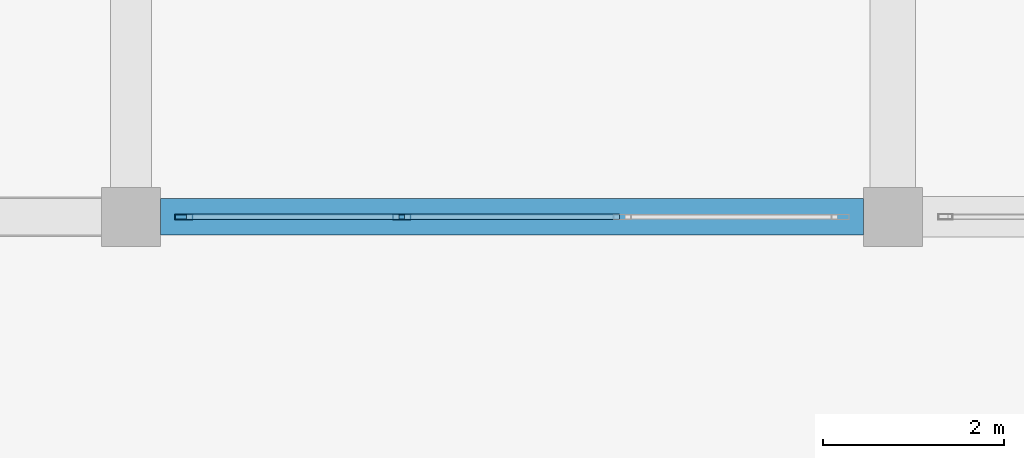
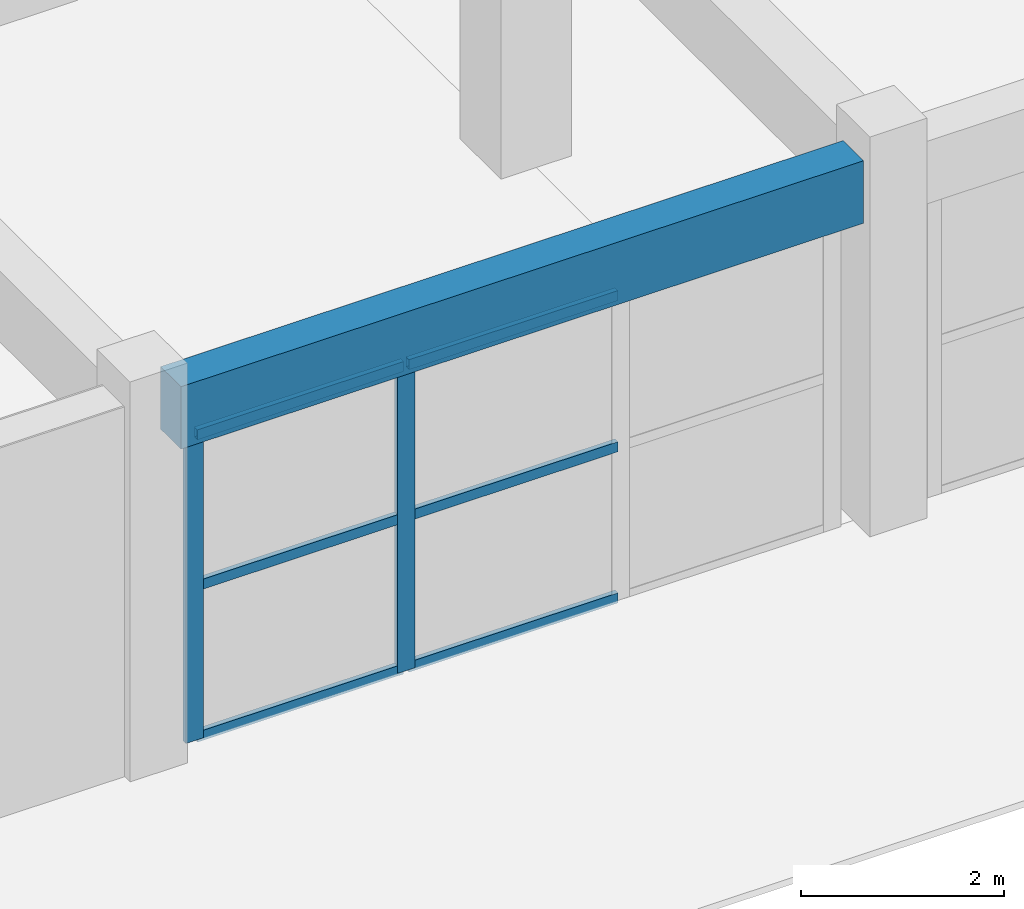
# One storey, part 5 of 72: 8 members, 1 beam, 1 element without a shape of its own.
"""IFC4 building model written with IfcOpenShell, lengths in metres."""

from ifc_helpers import new_model, si_unit, direction, frame, origin, origin_2d, place, context, subcontext, project, spatial, rectangle, hollow_rectangle, extrude, material, material_profile, profile_set, type_object, element, aggregate, save


model = new_model("IFC4")

# Units and contexts
model_context = context("Model", 3, precision=1e-05, world=origin(), true_north=direction((0.0, 1.0)))
body_context = subcontext(model_context, "Body", "Model", "MODEL_VIEW")
ifc_project = project(units=[si_unit("LENGTHUNIT", "METRE"), si_unit("AREAUNIT", "SQUARE_METRE"), si_unit("VOLUMEUNIT", "CUBIC_METRE"), si_unit("PLANEANGLEUNIT", "RADIAN"), si_unit("MASSUNIT", "GRAM", prefix="KILO")], contexts=[model_context])

# Site, building, storey
site_placement = place(None, origin())
site = spatial("IfcSite", under=ifc_project, at=site_placement, CompositionType="ELEMENT")
building_placement = place(site_placement, origin())
building = spatial("IfcBuilding", under=site, at=building_placement, Name="Korsvaeld Concert Hall", CompositionType="ELEMENT")
storey_placement = place(building_placement, origin())
storey = spatial("IfcBuildingStorey", under=building, at=storey_placement, Name="L00", CompositionType="ELEMENT", Elevation=0.0)

# Beam
ifc_material_1 = material(Name="Concrete C35/45", Category="concrete")
ifc_material_profile_1 = material_profile(ifc_material_1, rectangle(XDim=0.39990234375, YDim=0.75, at=origin_2d()), Name="RC 400x750")
ifc_profile_set_1 = profile_set([ifc_material_profile_1], Name="Concrete C35/45")
beam_type = type_object("IfcBeamType", Name="BM-RC-400x750", PredefinedType="T_BEAM", material=ifc_profile_set_1)
beam_placement = place(storey_placement, frame((59.125, 28.800048828125, 4.06494140625), z_axis=(1.0, 0.0, 0.0), x_axis=(0.0, 1.0, 0.0)))
element("IfcBeam", 1, at=beam_placement, inside=storey, type_object=beam_type, Name="Primary girder 9-10/E L00", PredefinedType="T_BEAM", context=body_context, shape_type="SweptSolid", body=[
    extrude(rectangle(XDim=0.39990234375, YDim=0.75, at=origin_2d()), origin(), (0.0, 0.0, 1.0), 7.75),
])

# Curtain wall, members
ifc_material_2 = material(Name="Anodised bronze and ceramic-fritted safety glass", Category="glass")
curtain_wall_type = type_object("IfcCurtainWallType", Name="CW-TYPE-14", PredefinedType="USERDEFINED", material=ifc_material_2)
curtain_wall_placement = place(storey_placement, origin())
curtain_wall = element("IfcCurtainWall", 2, at=curtain_wall_placement, inside=storey, type_object=curtain_wall_type, Name="Wintergarden foyer curtain wall L00-06", ObjectType="CURTAIN WALL", PredefinedType="USERDEFINED")
ifc_material_3 = material(Name="Anodised architectural bronze aluminium", Category="aluminium")
ifc_material_profile_2 = material_profile(ifc_material_3, hollow_rectangle(XDim=0.06005859375, YDim=0.199951171875, WallThickness=0.0048828125, at=origin_2d()), Name="CWM 200x60x5")
ifc_profile_set_2 = profile_set([ifc_material_profile_2], Name="Anodised architectural bronze aluminium")
member_type_1 = type_object("IfcMemberType", Name="CWM-ALUM-200x60", PredefinedType="MULLION", material=ifc_profile_set_2)
member_1_placement = place(storey_placement, frame((61.783447265625, 28.800048828125, 0.0), z_axis=(0.0, 0.0, 1.0), x_axis=(0.0, -1.0, 0.0)))
member_1 = element("IfcMember", 3, at=member_1_placement, type_object=member_type_1, Name="CW-14 mullion 3", PredefinedType="MULLION", context=body_context, shape_type="SweptSolid", body=[
    extrude(hollow_rectangle(XDim=0.06005859375, YDim=0.199951171875, WallThickness=0.0048828125, at=origin_2d()), origin(), (0.0, 0.0, 1.0), 3.68994140625),
])
member_2_placement = place(storey_placement, frame((59.3798828125, 28.800048828125, 0.0), z_axis=(0.0, 0.0, 1.0), x_axis=(0.0, -1.0, 0.0)))
member_2 = element("IfcMember", 4, at=member_2_placement, type_object=member_type_1, Name="CW-14 mullion 4", PredefinedType="MULLION", context=body_context, shape_type="SweptSolid", body=[
    extrude(hollow_rectangle(XDim=0.06005859375, YDim=0.199951171875, WallThickness=0.0048828125, at=origin_2d()), origin(), (0.0, 0.0, 1.0), 3.68994140625),
])
ifc_material_profile_3 = material_profile(ifc_material_3, hollow_rectangle(XDim=0.06005859375, YDim=0.1201171875, WallThickness=0.00390625, at=origin_2d()), Name="CWT 120x60x4")
ifc_profile_set_3 = profile_set([ifc_material_profile_3], Name="Anodised architectural bronze aluminium")
member_type_2 = type_object("IfcMemberType", Name="CWT-ALUM-120x60", PredefinedType="USERDEFINED", material=ifc_profile_set_3)
member_3_placement = place(storey_placement, frame((64.186767578125, 28.800048828125, 0.030029296875), z_axis=(-1.0, 0.0, 0.0), x_axis=(0.0, -1.0, 0.0)))
member_3 = element("IfcMember", 5, at=member_3_placement, type_object=member_type_2, Name="CW-14 transom 2.1", ObjectType="TRANSOM", PredefinedType="USERDEFINED", context=body_context, shape_type="SweptSolid", body=[
    extrude(hollow_rectangle(XDim=0.06005859375, YDim=0.1201171875, WallThickness=0.00390625, at=origin_2d()), origin(), (0.0, 0.0, 1.0), 2.37353515625),
])
member_4_placement = place(storey_placement, frame((64.186767578125, 28.800048828125, 1.844970703125), z_axis=(-1.0, 0.0, 0.0), x_axis=(0.0, -1.0, 0.0)))
member_4 = element("IfcMember", 6, at=member_4_placement, type_object=member_type_2, Name="CW-14 transom 2.2", ObjectType="TRANSOM", PredefinedType="USERDEFINED", context=body_context, shape_type="SweptSolid", body=[
    extrude(hollow_rectangle(XDim=0.06005859375, YDim=0.1201171875, WallThickness=0.00390625, at=origin_2d()), origin(), (0.0, 0.0, 1.0), 2.37353515625),
])
member_5_placement = place(storey_placement, frame((64.186767578125, 28.800048828125, 3.659912109375), z_axis=(-1.0, 0.0, 0.0), x_axis=(0.0, -1.0, 0.0)))
member_5 = element("IfcMember", 7, at=member_5_placement, type_object=member_type_2, Name="CW-14 transom 2.3", ObjectType="TRANSOM", PredefinedType="USERDEFINED", context=body_context, shape_type="SweptSolid", body=[
    extrude(hollow_rectangle(XDim=0.06005859375, YDim=0.1201171875, WallThickness=0.00390625, at=origin_2d()), origin(), (0.0, 0.0, 1.0), 2.37353515625),
])
member_6_placement = place(storey_placement, frame((61.75341796875, 28.800048828125, 0.030029296875), z_axis=(-1.0, 0.0, 0.0), x_axis=(0.0, -1.0, 0.0)))
member_6 = element("IfcMember", 8, at=member_6_placement, type_object=member_type_2, Name="CW-14 transom 3.1", ObjectType="TRANSOM", PredefinedType="USERDEFINED", context=body_context, shape_type="SweptSolid", body=[
    extrude(hollow_rectangle(XDim=0.06005859375, YDim=0.1201171875, WallThickness=0.00390625, at=origin_2d()), origin(), (0.0, 0.0, 1.0), 2.343505859375),
])
member_7_placement = place(storey_placement, frame((61.75341796875, 28.800048828125, 1.844970703125), z_axis=(-1.0, 0.0, 0.0), x_axis=(0.0, -1.0, 0.0)))
member_7 = element("IfcMember", 9, at=member_7_placement, type_object=member_type_2, Name="CW-14 transom 3.2", ObjectType="TRANSOM", PredefinedType="USERDEFINED", context=body_context, shape_type="SweptSolid", body=[
    extrude(hollow_rectangle(XDim=0.06005859375, YDim=0.1201171875, WallThickness=0.00390625, at=origin_2d()), origin(), (0.0, 0.0, 1.0), 2.343505859375),
])
member_8_placement = place(storey_placement, frame((61.75341796875, 28.800048828125, 3.659912109375), z_axis=(-1.0, 0.0, 0.0), x_axis=(0.0, -1.0, 0.0)))
member_8 = element("IfcMember", 10, at=member_8_placement, type_object=member_type_2, Name="CW-14 transom 3.3", ObjectType="TRANSOM", PredefinedType="USERDEFINED", context=body_context, shape_type="SweptSolid", body=[
    extrude(hollow_rectangle(XDim=0.06005859375, YDim=0.1201171875, WallThickness=0.00390625, at=origin_2d()), origin(), (0.0, 0.0, 1.0), 2.343505859375),
])
aggregate(curtain_wall, [member_1, member_2, member_3, member_4, member_5, member_6, member_7, member_8])

save(model, "model.ifc")
